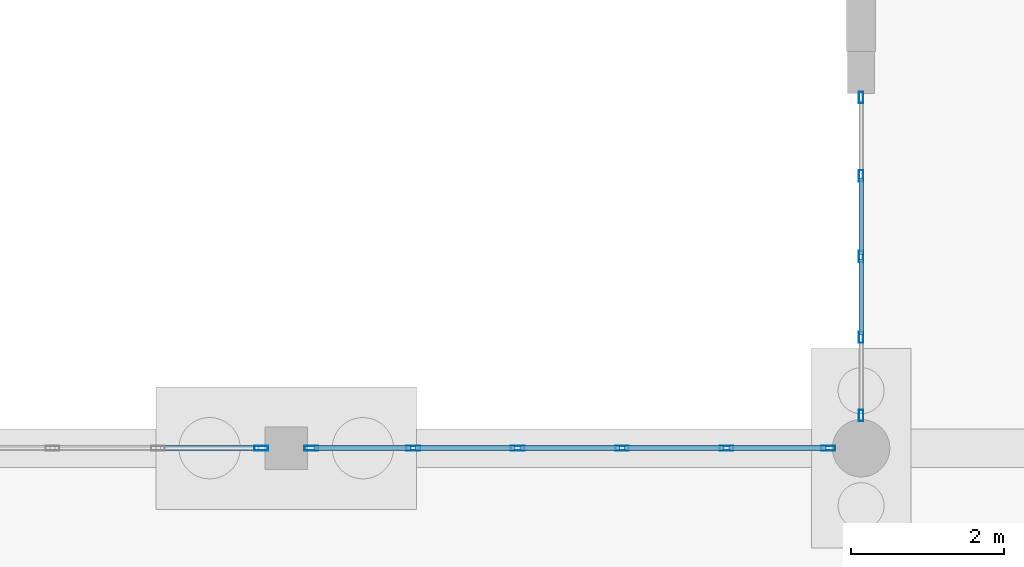
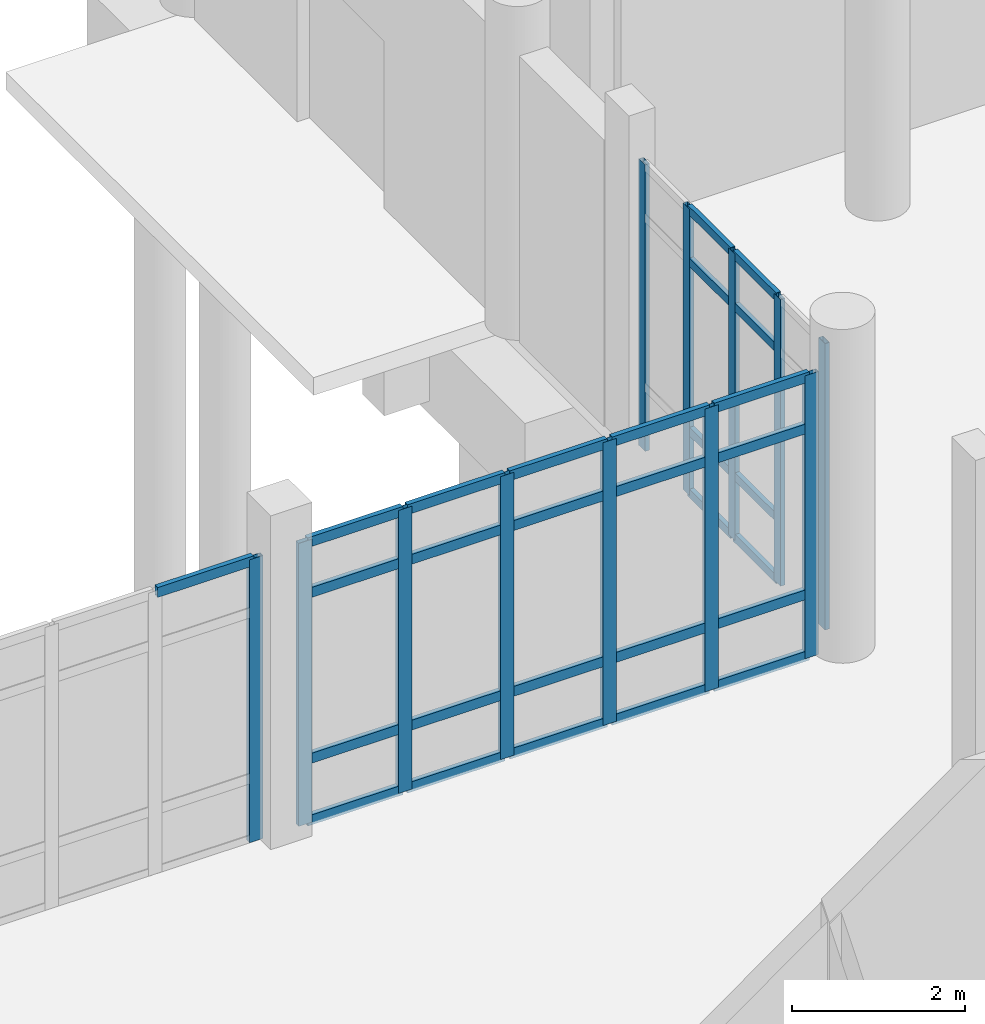
# One storey, part 48 of 173: 41 members, 3 elements without a shape of their own.
"""IFC4 building model written with IfcOpenShell, lengths in metres."""

from ifc_helpers import new_model, si_unit, direction, frame, origin, origin_2d, place, context, subcontext, project, spatial, hollow_rectangle, extrude, material, layer, layer_set, material_profile, profile_set, type_object, element, aggregate, save


model = new_model("IFC4")

# Units and contexts
model_context = context("Model", 3, precision=1e-05, world=origin(), true_north=direction((0.0, 1.0)))
body_context = subcontext(model_context, "Body", "Model", "MODEL_VIEW")
ifc_project = project(units=[si_unit("LENGTHUNIT", "METRE"), si_unit("AREAUNIT", "SQUARE_METRE"), si_unit("VOLUMEUNIT", "CUBIC_METRE"), si_unit("PLANEANGLEUNIT", "RADIAN"), si_unit("MASSUNIT", "GRAM", prefix="KILO")], contexts=[model_context])

# Site, building, storey
site_placement = place(None, origin())
site = spatial("IfcSite", under=ifc_project, at=site_placement, CompositionType="ELEMENT")
building_placement = place(site_placement, origin())
building = spatial("IfcBuilding", under=site, at=building_placement, Name="Mawjan Specialist Oncology Clinic", CompositionType="ELEMENT")
storey_placement = place(building_placement, origin())
storey = spatial("IfcBuildingStorey", under=building, at=storey_placement, Name="L00", CompositionType="ELEMENT", Elevation=0.0)

# Curtain wall, members
ifc_material_1 = material(Name="Unitised spectrally selective aluminium curtain wall", Category="aluminium")
ifc_layer_1 = layer(ifc_material_1, 0.179931640625, Name="Unitised spectrally selective aluminium curtain wall", Category="aluminium")
ifc_layer_set_1 = layer_set([ifc_layer_1], Name="Unitised spectrally selective aluminium curtain wall")
curtain_wall_type_1 = type_object("IfcCurtainWallType", Name="CW-23", PredefinedType="NOTDEFINED", material=ifc_layer_set_1)
curtain_wall_1_placement = place(storey_placement, origin())
curtain_wall_1 = element("IfcCurtainWall", 1, at=curtain_wall_1_placement, inside=storey, type_object=curtain_wall_type_1, Name="L00 Unitised Curtain Wall CW-L00-041", PredefinedType="NOTDEFINED")
ifc_material_2 = material(Name="Thermally broken aluminium 6063-T6", Category="aluminium")
ifc_material_profile_1 = material_profile(ifc_material_2, hollow_rectangle(XDim=0.06005859375, YDim=0.14990234375, WallThickness=0.00390625, at=origin_2d()), Name="ALU MULLION 150x60x4", Category="aluminium")
ifc_profile_set_1 = profile_set([ifc_material_profile_1], Name="Thermally broken aluminium 6063-T6")
member_type_1 = type_object("IfcMemberType", Name="CW-M150", PredefinedType="MULLION", material=ifc_profile_set_1)
member_1_placement = place(storey_placement, frame((60.0, 53.72509765625, 0.0), z_axis=(0.0, 0.0, 1.0), x_axis=(-1.0, 0.0, 0.0)))
member_1 = element("IfcMember", 2, at=member_1_placement, type_object=member_type_1, Name="CW-23 mullion 1", PredefinedType="MULLION", context=body_context, shape_type="SweptSolid", body=[
    extrude(hollow_rectangle(XDim=0.06005859375, YDim=0.14990234375, WallThickness=0.00390625, at=origin_2d()), origin(), (0.0, 0.0, 1.0), 4.034912109375),
])
member_2_placement = place(storey_placement, frame((60.0, 54.74755859375, 0.0), z_axis=(0.0, 0.0, 1.0), x_axis=(-1.0, 0.0, 0.0)))
member_2 = element("IfcMember", 3, at=member_2_placement, type_object=member_type_1, Name="CW-23 mullion 2", PredefinedType="MULLION", context=body_context, shape_type="SweptSolid", body=[
    extrude(hollow_rectangle(XDim=0.06005859375, YDim=0.14990234375, WallThickness=0.00390625, at=origin_2d()), origin(), (0.0, 0.0, 1.0), 4.034912109375),
])
member_3_placement = place(storey_placement, frame((60.0, 55.800048828125, 0.0), z_axis=(0.0, 0.0, 1.0), x_axis=(-1.0, 0.0, 0.0)))
member_3 = element("IfcMember", 4, at=member_3_placement, type_object=member_type_1, Name="CW-23 mullion 3", PredefinedType="MULLION", context=body_context, shape_type="SweptSolid", body=[
    extrude(hollow_rectangle(XDim=0.06005859375, YDim=0.14990234375, WallThickness=0.00390625, at=origin_2d()), origin(), (0.0, 0.0, 1.0), 4.034912109375),
])
member_4_placement = place(storey_placement, frame((60.0, 56.8525390625, 0.0), z_axis=(0.0, 0.0, 1.0), x_axis=(-1.0, 0.0, 0.0)))
member_4 = element("IfcMember", 5, at=member_4_placement, type_object=member_type_1, Name="CW-23 mullion 4", PredefinedType="MULLION", context=body_context, shape_type="SweptSolid", body=[
    extrude(hollow_rectangle(XDim=0.06005859375, YDim=0.14990234375, WallThickness=0.00390625, at=origin_2d()), origin(), (0.0, 0.0, 1.0), 4.034912109375),
])
member_5_placement = place(storey_placement, frame((60.0, 57.875, 0.0), z_axis=(0.0, 0.0, 1.0), x_axis=(-1.0, 0.0, 0.0)))
member_5 = element("IfcMember", 6, at=member_5_placement, type_object=member_type_1, Name="CW-23 mullion 5", PredefinedType="MULLION", context=body_context, shape_type="SweptSolid", body=[
    extrude(hollow_rectangle(XDim=0.06005859375, YDim=0.14990234375, WallThickness=0.00390625, at=origin_2d()), origin(), (0.0, 0.0, 1.0), 4.034912109375),
])

# Curtain wall, member
ifc_material_3 = material(Name="Unitised spectrally selective aluminium curtain wall", Category="aluminium")
ifc_layer_2 = layer(ifc_material_3, 0.179931640625, Name="Unitised spectrally selective aluminium curtain wall", Category="aluminium")
ifc_layer_set_2 = layer_set([ifc_layer_2], Name="Unitised spectrally selective aluminium curtain wall")
curtain_wall_type_2 = type_object("IfcCurtainWallType", Name="CW-22", PredefinedType="NOTDEFINED", material=ifc_layer_set_2)
curtain_wall_2_placement = place(storey_placement, origin())
curtain_wall_2 = element("IfcCurtainWall", 7, at=curtain_wall_2_placement, inside=storey, type_object=curtain_wall_type_2, Name="L00 Unitised Curtain Wall CW-L00-039", PredefinedType="NOTDEFINED")
ifc_material_4 = material(Name="Thermally broken aluminium 6063-T6", Category="aluminium")
ifc_material_profile_2 = material_profile(ifc_material_4, hollow_rectangle(XDim=0.06494140625, YDim=0.179931640625, WallThickness=0.00390625, at=origin_2d()), Name="ALU MULLION 180x65x4", Category="aluminium")
ifc_profile_set_2 = profile_set([ifc_material_profile_2], Name="Thermally broken aluminium 6063-T6")
member_type_2 = type_object("IfcMemberType", Name="CW-M180", PredefinedType="MULLION", material=ifc_profile_set_2)
member_6_placement = place(storey_placement, frame((52.172607421875, 53.300048828125, 0.0), z_axis=(0.0, 0.0, 1.0), x_axis=(0.0, 1.0, 0.0)))
member_6 = element("IfcMember", 8, at=member_6_placement, type_object=member_type_2, Name="CW-22 mullion 6", PredefinedType="MULLION", context=body_context, shape_type="SweptSolid", body=[
    extrude(hollow_rectangle(XDim=0.06494140625, YDim=0.179931640625, WallThickness=0.00390625, at=origin_2d()), origin(), (0.0, 0.0, 1.0), 3.985107421875),
])

# Curtain wall, members
ifc_material_5 = material(Name="Unitised spectrally selective aluminium curtain wall", Category="aluminium")
ifc_layer_3 = layer(ifc_material_5, 0.179931640625, Name="Unitised spectrally selective aluminium curtain wall", Category="aluminium")
ifc_layer_set_3 = layer_set([ifc_layer_3], Name="Unitised spectrally selective aluminium curtain wall")
curtain_wall_type_3 = type_object("IfcCurtainWallType", Name="CW-01", PredefinedType="NOTDEFINED", material=ifc_layer_set_3)
curtain_wall_3_placement = place(storey_placement, origin())
curtain_wall_3 = element("IfcCurtainWall", 9, at=curtain_wall_3_placement, inside=storey, type_object=curtain_wall_type_3, Name="L00 Unitised Curtain Wall CW-L00-040", PredefinedType="NOTDEFINED")
member_7_placement = place(storey_placement, frame((52.827392578125, 53.300048828125, 0.0), z_axis=(0.0, 0.0, 1.0), x_axis=(0.0, 1.0, 0.0)))
member_7 = element("IfcMember", 10, at=member_7_placement, type_object=member_type_2, Name="CW-01 mullion 1", PredefinedType="MULLION", context=body_context, shape_type="SweptSolid", body=[
    extrude(hollow_rectangle(XDim=0.06494140625, YDim=0.179931640625, WallThickness=0.00390625, at=origin_2d()), origin(), (0.0, 0.0, 1.0), 3.985107421875),
])
member_8_placement = place(storey_placement, frame((54.156982421875, 53.300048828125, 0.0), z_axis=(0.0, 0.0, 1.0), x_axis=(0.0, 1.0, 0.0)))
member_8 = element("IfcMember", 11, at=member_8_placement, type_object=member_type_2, Name="CW-01 mullion 2", PredefinedType="MULLION", context=body_context, shape_type="SweptSolid", body=[
    extrude(hollow_rectangle(XDim=0.06494140625, YDim=0.179931640625, WallThickness=0.00390625, at=origin_2d()), origin(), (0.0, 0.0, 1.0), 3.985107421875),
])
member_9_placement = place(storey_placement, frame((55.51904296875, 53.300048828125, 0.0), z_axis=(0.0, 0.0, 1.0), x_axis=(0.0, 1.0, 0.0)))
member_9 = element("IfcMember", 12, at=member_9_placement, type_object=member_type_2, Name="CW-01 mullion 3", PredefinedType="MULLION", context=body_context, shape_type="SweptSolid", body=[
    extrude(hollow_rectangle(XDim=0.06494140625, YDim=0.179931640625, WallThickness=0.00390625, at=origin_2d()), origin(), (0.0, 0.0, 1.0), 3.985107421875),
])
member_10_placement = place(storey_placement, frame((56.881103515625, 53.300048828125, 0.0), z_axis=(0.0, 0.0, 1.0), x_axis=(0.0, 1.0, 0.0)))
member_10 = element("IfcMember", 13, at=member_10_placement, type_object=member_type_2, Name="CW-01 mullion 4", PredefinedType="MULLION", context=body_context, shape_type="SweptSolid", body=[
    extrude(hollow_rectangle(XDim=0.06494140625, YDim=0.179931640625, WallThickness=0.00390625, at=origin_2d()), origin(), (0.0, 0.0, 1.0), 3.985107421875),
])
member_11_placement = place(storey_placement, frame((58.242919921875, 53.300048828125, 0.0), z_axis=(0.0, 0.0, 1.0), x_axis=(0.0, 1.0, 0.0)))
member_11 = element("IfcMember", 14, at=member_11_placement, type_object=member_type_2, Name="CW-01 mullion 5", PredefinedType="MULLION", context=body_context, shape_type="SweptSolid", body=[
    extrude(hollow_rectangle(XDim=0.06494140625, YDim=0.179931640625, WallThickness=0.00390625, at=origin_2d()), origin(), (0.0, 0.0, 1.0), 3.985107421875),
])
member_12_placement = place(storey_placement, frame((59.572509765625, 53.300048828125, 0.0), z_axis=(0.0, 0.0, 1.0), x_axis=(0.0, 1.0, 0.0)))
member_12 = element("IfcMember", 15, at=member_12_placement, type_object=member_type_2, Name="CW-01 mullion 6", PredefinedType="MULLION", context=body_context, shape_type="SweptSolid", body=[
    extrude(hollow_rectangle(XDim=0.06494140625, YDim=0.179931640625, WallThickness=0.00390625, at=origin_2d()), origin(), (0.0, 0.0, 1.0), 3.985107421875),
])

# Member
ifc_material_6 = material(Name="Thermally broken aluminium 6063-T6", Category="aluminium")
ifc_material_profile_3 = material_profile(ifc_material_6, hollow_rectangle(XDim=0.06005859375, YDim=0.1201171875, WallThickness=0.00390625, at=origin_2d()), Name="ALU TRANSOM 120x60x4", Category="aluminium")
ifc_profile_set_3 = profile_set([ifc_material_profile_3], Name="Thermally broken aluminium 6063-T6")
member_type_3 = type_object("IfcMemberType", Name="CW-T120", PredefinedType="USERDEFINED", material=ifc_profile_set_3)
member_13_placement = place(storey_placement, frame((60.0, 54.777587890625, 0.030029296875), z_axis=(0.0, 1.0, 0.0), x_axis=(-1.0, 0.0, 0.0)))
member_13 = element("IfcMember", 16, at=member_13_placement, type_object=member_type_3, Name="CW-23 transom 2.1", ObjectType="TRANSOM", PredefinedType="USERDEFINED", context=body_context, shape_type="SweptSolid", body=[
    extrude(hollow_rectangle(XDim=0.06005859375, YDim=0.1201171875, WallThickness=0.00390625, at=origin_2d()), origin(), (0.0, 0.0, 1.0), 0.992431640625),
])

member_14_placement = place(storey_placement, frame((60.0, 54.777587890625, 0.89990234375), z_axis=(0.0, 1.0, 0.0), x_axis=(-1.0, 0.0, 0.0)))
member_14 = element("IfcMember", 17, at=member_14_placement, type_object=member_type_3, Name="CW-23 transom 2.2", ObjectType="TRANSOM", PredefinedType="USERDEFINED", context=body_context, shape_type="SweptSolid", body=[
    extrude(hollow_rectangle(XDim=0.06005859375, YDim=0.1201171875, WallThickness=0.00390625, at=origin_2d()), origin(), (0.0, 0.0, 1.0), 0.992431640625),
])

member_15_placement = place(storey_placement, frame((60.0, 54.777587890625, 3.284912109375), z_axis=(0.0, 1.0, 0.0), x_axis=(-1.0, 0.0, 0.0)))
member_15 = element("IfcMember", 18, at=member_15_placement, type_object=member_type_3, Name="CW-23 transom 2.3", ObjectType="TRANSOM", PredefinedType="USERDEFINED", context=body_context, shape_type="SweptSolid", body=[
    extrude(hollow_rectangle(XDim=0.06005859375, YDim=0.1201171875, WallThickness=0.00390625, at=origin_2d()), origin(), (0.0, 0.0, 1.0), 0.992431640625),
])

member_16_placement = place(storey_placement, frame((60.0, 54.777587890625, 4.0048828125), z_axis=(0.0, 1.0, 0.0), x_axis=(-1.0, 0.0, 0.0)))
member_16 = element("IfcMember", 19, at=member_16_placement, type_object=member_type_3, Name="CW-23 transom 2.4", ObjectType="TRANSOM", PredefinedType="USERDEFINED", context=body_context, shape_type="SweptSolid", body=[
    extrude(hollow_rectangle(XDim=0.06005859375, YDim=0.1201171875, WallThickness=0.00390625, at=origin_2d()), origin(), (0.0, 0.0, 1.0), 0.992431640625),
])

member_17_placement = place(storey_placement, frame((60.0, 55.830078125, 0.030029296875), z_axis=(0.0, 1.0, 0.0), x_axis=(-1.0, 0.0, 0.0)))
member_17 = element("IfcMember", 20, at=member_17_placement, type_object=member_type_3, Name="CW-23 transom 3.1", ObjectType="TRANSOM", PredefinedType="USERDEFINED", context=body_context, shape_type="SweptSolid", body=[
    extrude(hollow_rectangle(XDim=0.06005859375, YDim=0.1201171875, WallThickness=0.00390625, at=origin_2d()), origin(), (0.0, 0.0, 1.0), 0.992431640625),
])

member_18_placement = place(storey_placement, frame((60.0, 55.830078125, 0.89990234375), z_axis=(0.0, 1.0, 0.0), x_axis=(-1.0, 0.0, 0.0)))
member_18 = element("IfcMember", 21, at=member_18_placement, type_object=member_type_3, Name="CW-23 transom 3.2", ObjectType="TRANSOM", PredefinedType="USERDEFINED", context=body_context, shape_type="SweptSolid", body=[
    extrude(hollow_rectangle(XDim=0.06005859375, YDim=0.1201171875, WallThickness=0.00390625, at=origin_2d()), origin(), (0.0, 0.0, 1.0), 0.992431640625),
])

member_19_placement = place(storey_placement, frame((60.0, 55.830078125, 3.284912109375), z_axis=(0.0, 1.0, 0.0), x_axis=(-1.0, 0.0, 0.0)))
member_19 = element("IfcMember", 22, at=member_19_placement, type_object=member_type_3, Name="CW-23 transom 3.3", ObjectType="TRANSOM", PredefinedType="USERDEFINED", context=body_context, shape_type="SweptSolid", body=[
    extrude(hollow_rectangle(XDim=0.06005859375, YDim=0.1201171875, WallThickness=0.00390625, at=origin_2d()), origin(), (0.0, 0.0, 1.0), 0.992431640625),
])

member_20_placement = place(storey_placement, frame((60.0, 55.830078125, 4.0048828125), z_axis=(0.0, 1.0, 0.0), x_axis=(-1.0, 0.0, 0.0)))
member_20 = element("IfcMember", 23, at=member_20_placement, type_object=member_type_3, Name="CW-23 transom 3.4", ObjectType="TRANSOM", PredefinedType="USERDEFINED", context=body_context, shape_type="SweptSolid", body=[
    extrude(hollow_rectangle(XDim=0.06005859375, YDim=0.1201171875, WallThickness=0.00390625, at=origin_2d()), origin(), (0.0, 0.0, 1.0), 0.992431640625),
])

aggregate(curtain_wall_1, [member_1, member_2, member_3, member_4, member_5, member_13, member_14, member_15, member_16, member_17, member_18, member_19, member_20])

ifc_material_7 = material(Name="Thermally broken aluminium 6063-T6", Category="aluminium")
ifc_material_profile_4 = material_profile(ifc_material_7, hollow_rectangle(XDim=0.06494140625, YDim=0.139892578125, WallThickness=0.00390625, at=origin_2d()), Name="ALU TRANSOM 140x65x4", Category="aluminium")
ifc_profile_set_4 = profile_set([ifc_material_profile_4], Name="Thermally broken aluminium 6063-T6")
member_type_4 = type_object("IfcMemberType", Name="CW-T140", PredefinedType="USERDEFINED", material=ifc_profile_set_4)
member_21_placement = place(storey_placement, frame((50.860595703125, 53.300048828125, 3.952392578125), z_axis=(1.0, 0.0, 0.0), x_axis=(0.0, 1.0, 0.0)))
member_21 = element("IfcMember", 24, at=member_21_placement, type_object=member_type_4, Name="CW-22 transom 5.4", ObjectType="TRANSOM", PredefinedType="USERDEFINED", context=body_context, shape_type="SweptSolid", body=[
    extrude(hollow_rectangle(XDim=0.06494140625, YDim=0.139892578125, WallThickness=0.00390625, at=origin_2d()), origin(), (0.0, 0.0, 1.0), 1.279296875),
])

aggregate(curtain_wall_2, [member_6, member_21])

member_22_placement = place(storey_placement, frame((52.860107421875, 53.300048828125, 0.032470703125), z_axis=(1.0, 0.0, 0.0), x_axis=(0.0, 1.0, 0.0)))
member_22 = element("IfcMember", 25, at=member_22_placement, type_object=member_type_4, Name="CW-01 transom 1.1", ObjectType="TRANSOM", PredefinedType="USERDEFINED", context=body_context, shape_type="SweptSolid", body=[
    extrude(hollow_rectangle(XDim=0.06494140625, YDim=0.139892578125, WallThickness=0.00390625, at=origin_2d()), origin(), (0.0, 0.0, 1.0), 1.264404296875),
])

member_23_placement = place(storey_placement, frame((52.860107421875, 53.300048828125, 0.89990234375), z_axis=(1.0, 0.0, 0.0), x_axis=(0.0, 1.0, 0.0)))
member_23 = element("IfcMember", 26, at=member_23_placement, type_object=member_type_4, Name="CW-01 transom 1.2", ObjectType="TRANSOM", PredefinedType="USERDEFINED", context=body_context, shape_type="SweptSolid", body=[
    extrude(hollow_rectangle(XDim=0.06494140625, YDim=0.139892578125, WallThickness=0.00390625, at=origin_2d()), origin(), (0.0, 0.0, 1.0), 1.264404296875),
])

member_24_placement = place(storey_placement, frame((52.860107421875, 53.300048828125, 3.235107421875), z_axis=(1.0, 0.0, 0.0), x_axis=(0.0, 1.0, 0.0)))
member_24 = element("IfcMember", 27, at=member_24_placement, type_object=member_type_4, Name="CW-01 transom 1.3", ObjectType="TRANSOM", PredefinedType="USERDEFINED", context=body_context, shape_type="SweptSolid", body=[
    extrude(hollow_rectangle(XDim=0.06494140625, YDim=0.139892578125, WallThickness=0.00390625, at=origin_2d()), origin(), (0.0, 0.0, 1.0), 1.264404296875),
])

member_25_placement = place(storey_placement, frame((52.860107421875, 53.300048828125, 3.952392578125), z_axis=(1.0, 0.0, 0.0), x_axis=(0.0, 1.0, 0.0)))
member_25 = element("IfcMember", 28, at=member_25_placement, type_object=member_type_4, Name="CW-01 transom 1.4", ObjectType="TRANSOM", PredefinedType="USERDEFINED", context=body_context, shape_type="SweptSolid", body=[
    extrude(hollow_rectangle(XDim=0.06494140625, YDim=0.139892578125, WallThickness=0.00390625, at=origin_2d()), origin(), (0.0, 0.0, 1.0), 1.264404296875),
])

member_26_placement = place(storey_placement, frame((54.189453125, 53.300048828125, 0.032470703125), z_axis=(1.0, 0.0, 0.0), x_axis=(0.0, 1.0, 0.0)))
member_26 = element("IfcMember", 29, at=member_26_placement, type_object=member_type_4, Name="CW-01 transom 2.1", ObjectType="TRANSOM", PredefinedType="USERDEFINED", context=body_context, shape_type="SweptSolid", body=[
    extrude(hollow_rectangle(XDim=0.06494140625, YDim=0.139892578125, WallThickness=0.00390625, at=origin_2d()), origin(), (0.0, 0.0, 1.0), 1.297119140625),
])

member_27_placement = place(storey_placement, frame((54.189453125, 53.300048828125, 0.89990234375), z_axis=(1.0, 0.0, 0.0), x_axis=(0.0, 1.0, 0.0)))
member_27 = element("IfcMember", 30, at=member_27_placement, type_object=member_type_4, Name="CW-01 transom 2.2", ObjectType="TRANSOM", PredefinedType="USERDEFINED", context=body_context, shape_type="SweptSolid", body=[
    extrude(hollow_rectangle(XDim=0.06494140625, YDim=0.139892578125, WallThickness=0.00390625, at=origin_2d()), origin(), (0.0, 0.0, 1.0), 1.297119140625),
])

member_28_placement = place(storey_placement, frame((54.189453125, 53.300048828125, 3.235107421875), z_axis=(1.0, 0.0, 0.0), x_axis=(0.0, 1.0, 0.0)))
member_28 = element("IfcMember", 31, at=member_28_placement, type_object=member_type_4, Name="CW-01 transom 2.3", ObjectType="TRANSOM", PredefinedType="USERDEFINED", context=body_context, shape_type="SweptSolid", body=[
    extrude(hollow_rectangle(XDim=0.06494140625, YDim=0.139892578125, WallThickness=0.00390625, at=origin_2d()), origin(), (0.0, 0.0, 1.0), 1.297119140625),
])

member_29_placement = place(storey_placement, frame((54.189453125, 53.300048828125, 3.952392578125), z_axis=(1.0, 0.0, 0.0), x_axis=(0.0, 1.0, 0.0)))
member_29 = element("IfcMember", 32, at=member_29_placement, type_object=member_type_4, Name="CW-01 transom 2.4", ObjectType="TRANSOM", PredefinedType="USERDEFINED", context=body_context, shape_type="SweptSolid", body=[
    extrude(hollow_rectangle(XDim=0.06494140625, YDim=0.139892578125, WallThickness=0.00390625, at=origin_2d()), origin(), (0.0, 0.0, 1.0), 1.297119140625),
])

member_30_placement = place(storey_placement, frame((55.551513671875, 53.300048828125, 0.032470703125), z_axis=(1.0, 0.0, 0.0), x_axis=(0.0, 1.0, 0.0)))
member_30 = element("IfcMember", 33, at=member_30_placement, type_object=member_type_4, Name="CW-01 transom 3.1", ObjectType="TRANSOM", PredefinedType="USERDEFINED", context=body_context, shape_type="SweptSolid", body=[
    extrude(hollow_rectangle(XDim=0.06494140625, YDim=0.139892578125, WallThickness=0.00390625, at=origin_2d()), origin(), (0.0, 0.0, 1.0), 1.296875),
])

member_31_placement = place(storey_placement, frame((55.551513671875, 53.300048828125, 0.89990234375), z_axis=(1.0, 0.0, 0.0), x_axis=(0.0, 1.0, 0.0)))
member_31 = element("IfcMember", 34, at=member_31_placement, type_object=member_type_4, Name="CW-01 transom 3.2", ObjectType="TRANSOM", PredefinedType="USERDEFINED", context=body_context, shape_type="SweptSolid", body=[
    extrude(hollow_rectangle(XDim=0.06494140625, YDim=0.139892578125, WallThickness=0.00390625, at=origin_2d()), origin(), (0.0, 0.0, 1.0), 1.296875),
])

member_32_placement = place(storey_placement, frame((55.551513671875, 53.300048828125, 3.235107421875), z_axis=(1.0, 0.0, 0.0), x_axis=(0.0, 1.0, 0.0)))
member_32 = element("IfcMember", 35, at=member_32_placement, type_object=member_type_4, Name="CW-01 transom 3.3", ObjectType="TRANSOM", PredefinedType="USERDEFINED", context=body_context, shape_type="SweptSolid", body=[
    extrude(hollow_rectangle(XDim=0.06494140625, YDim=0.139892578125, WallThickness=0.00390625, at=origin_2d()), origin(), (0.0, 0.0, 1.0), 1.296875),
])

member_33_placement = place(storey_placement, frame((55.551513671875, 53.300048828125, 3.952392578125), z_axis=(1.0, 0.0, 0.0), x_axis=(0.0, 1.0, 0.0)))
member_33 = element("IfcMember", 36, at=member_33_placement, type_object=member_type_4, Name="CW-01 transom 3.4", ObjectType="TRANSOM", PredefinedType="USERDEFINED", context=body_context, shape_type="SweptSolid", body=[
    extrude(hollow_rectangle(XDim=0.06494140625, YDim=0.139892578125, WallThickness=0.00390625, at=origin_2d()), origin(), (0.0, 0.0, 1.0), 1.296875),
])

member_34_placement = place(storey_placement, frame((56.91357421875, 53.300048828125, 0.032470703125), z_axis=(1.0, 0.0, 0.0), x_axis=(0.0, 1.0, 0.0)))
member_34 = element("IfcMember", 37, at=member_34_placement, type_object=member_type_4, Name="CW-01 transom 4.1", ObjectType="TRANSOM", PredefinedType="USERDEFINED", context=body_context, shape_type="SweptSolid", body=[
    extrude(hollow_rectangle(XDim=0.06494140625, YDim=0.139892578125, WallThickness=0.00390625, at=origin_2d()), origin(), (0.0, 0.0, 1.0), 1.296875),
])

member_35_placement = place(storey_placement, frame((56.91357421875, 53.300048828125, 0.89990234375), z_axis=(1.0, 0.0, 0.0), x_axis=(0.0, 1.0, 0.0)))
member_35 = element("IfcMember", 38, at=member_35_placement, type_object=member_type_4, Name="CW-01 transom 4.2", ObjectType="TRANSOM", PredefinedType="USERDEFINED", context=body_context, shape_type="SweptSolid", body=[
    extrude(hollow_rectangle(XDim=0.06494140625, YDim=0.139892578125, WallThickness=0.00390625, at=origin_2d()), origin(), (0.0, 0.0, 1.0), 1.296875),
])

member_36_placement = place(storey_placement, frame((56.91357421875, 53.300048828125, 3.235107421875), z_axis=(1.0, 0.0, 0.0), x_axis=(0.0, 1.0, 0.0)))
member_36 = element("IfcMember", 39, at=member_36_placement, type_object=member_type_4, Name="CW-01 transom 4.3", ObjectType="TRANSOM", PredefinedType="USERDEFINED", context=body_context, shape_type="SweptSolid", body=[
    extrude(hollow_rectangle(XDim=0.06494140625, YDim=0.139892578125, WallThickness=0.00390625, at=origin_2d()), origin(), (0.0, 0.0, 1.0), 1.296875),
])

member_37_placement = place(storey_placement, frame((56.91357421875, 53.300048828125, 3.952392578125), z_axis=(1.0, 0.0, 0.0), x_axis=(0.0, 1.0, 0.0)))
member_37 = element("IfcMember", 40, at=member_37_placement, type_object=member_type_4, Name="CW-01 transom 4.4", ObjectType="TRANSOM", PredefinedType="USERDEFINED", context=body_context, shape_type="SweptSolid", body=[
    extrude(hollow_rectangle(XDim=0.06494140625, YDim=0.139892578125, WallThickness=0.00390625, at=origin_2d()), origin(), (0.0, 0.0, 1.0), 1.296875),
])

member_38_placement = place(storey_placement, frame((58.275390625, 53.300048828125, 0.032470703125), z_axis=(1.0, 0.0, 0.0), x_axis=(0.0, 1.0, 0.0)))
member_38 = element("IfcMember", 41, at=member_38_placement, type_object=member_type_4, Name="CW-01 transom 5.1", ObjectType="TRANSOM", PredefinedType="USERDEFINED", context=body_context, shape_type="SweptSolid", body=[
    extrude(hollow_rectangle(XDim=0.06494140625, YDim=0.139892578125, WallThickness=0.00390625, at=origin_2d()), origin(), (0.0, 0.0, 1.0), 1.2646484375),
])

member_39_placement = place(storey_placement, frame((58.275390625, 53.300048828125, 0.89990234375), z_axis=(1.0, 0.0, 0.0), x_axis=(0.0, 1.0, 0.0)))
member_39 = element("IfcMember", 42, at=member_39_placement, type_object=member_type_4, Name="CW-01 transom 5.2", ObjectType="TRANSOM", PredefinedType="USERDEFINED", context=body_context, shape_type="SweptSolid", body=[
    extrude(hollow_rectangle(XDim=0.06494140625, YDim=0.139892578125, WallThickness=0.00390625, at=origin_2d()), origin(), (0.0, 0.0, 1.0), 1.2646484375),
])

member_40_placement = place(storey_placement, frame((58.275390625, 53.300048828125, 3.235107421875), z_axis=(1.0, 0.0, 0.0), x_axis=(0.0, 1.0, 0.0)))
member_40 = element("IfcMember", 43, at=member_40_placement, type_object=member_type_4, Name="CW-01 transom 5.3", ObjectType="TRANSOM", PredefinedType="USERDEFINED", context=body_context, shape_type="SweptSolid", body=[
    extrude(hollow_rectangle(XDim=0.06494140625, YDim=0.139892578125, WallThickness=0.00390625, at=origin_2d()), origin(), (0.0, 0.0, 1.0), 1.2646484375),
])

member_41_placement = place(storey_placement, frame((58.275390625, 53.300048828125, 3.952392578125), z_axis=(1.0, 0.0, 0.0), x_axis=(0.0, 1.0, 0.0)))
member_41 = element("IfcMember", 44, at=member_41_placement, type_object=member_type_4, Name="CW-01 transom 5.4", ObjectType="TRANSOM", PredefinedType="USERDEFINED", context=body_context, shape_type="SweptSolid", body=[
    extrude(hollow_rectangle(XDim=0.06494140625, YDim=0.139892578125, WallThickness=0.00390625, at=origin_2d()), origin(), (0.0, 0.0, 1.0), 1.2646484375),
])

aggregate(curtain_wall_3, [member_7, member_8, member_9, member_10, member_11, member_12, member_22, member_23, member_24, member_25, member_26, member_27, member_28, member_29, member_30, member_31, member_32, member_33, member_34, member_35, member_36, member_37, member_38, member_39, member_40, member_41])

save(model, "model.ifc")
